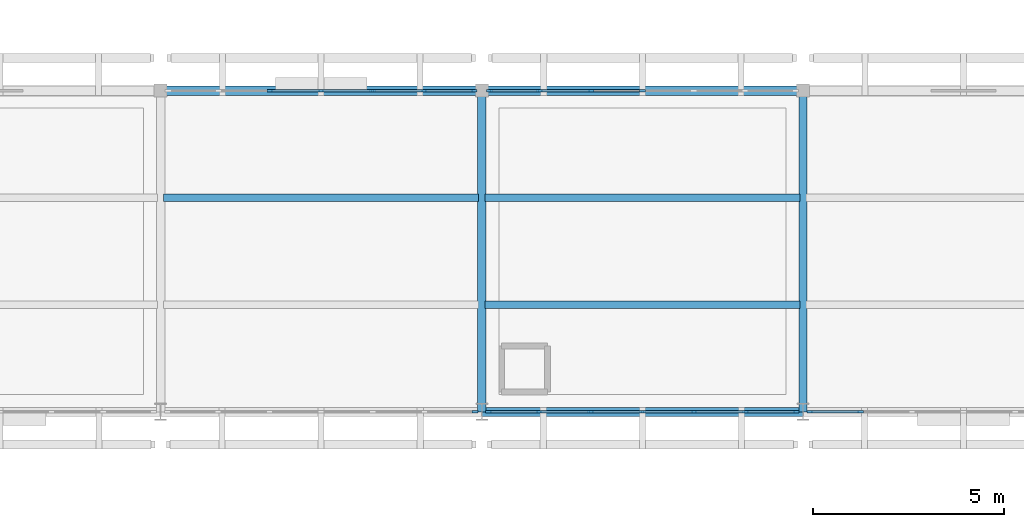
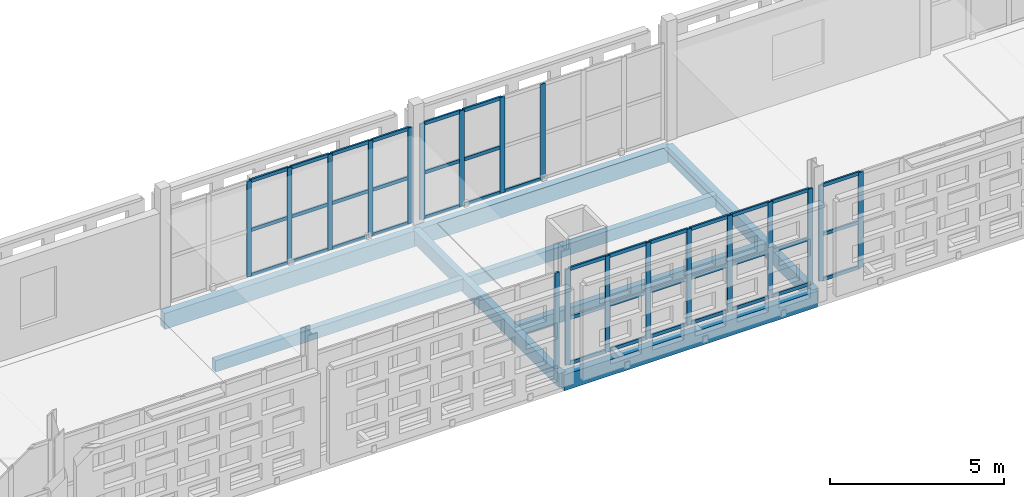
# One storey, part 55 of 140: 59 members, 8 beams, 5 elements without a shape of their own.
"""IFC4 building model written with IfcOpenShell, lengths in metres."""

import ifcopenshell
import ifcopenshell.guid

model = None  # the IFC model being written
_history = None  # IfcOwnerHistory: only IFC2X3 demands one
_inside = {}  # id of a spatial element -> (the spatial element, [elements in it])
_under = {}  # id of a project, library or spatial element -> (it, [spatial elements below it])
_declared = {}  # id of a project -> (the project, [libraries it declares])
_typed = {}  # id of a type object -> (the type object, [elements of that type])
_made_of = {}  # id of a material, layer set ... -> (it, [elements and type objects made of it])


def new_model(schema):
    """Start an empty IFC model of exactly this schema.

    Asked for "IFC4X3", IfcOpenShell would pick the latest addendum, in which some entities
    have other attributes; the version numbers below select the first issue.
    IFC2X3 requires an IfcOwnerHistory on every rooted entity: one is made here for all.
    """
    global model, _history
    if schema == "IFC4X3":
        model = ifcopenshell.file(schema_version=(4, 3, 0, 0))
    else:
        model = ifcopenshell.file(schema=schema)
    _inside.clear()
    _under.clear()
    _declared.clear()
    _typed.clear()
    _made_of.clear()
    _history = None
    if model.schema == "IFC2X3":
        org = make("IfcOrganization", Name="unknown")
        user = make(
            "IfcPersonAndOrganization",
            ThePerson=make("IfcPerson", FamilyName="unknown"),
            TheOrganization=org,
        )
        app = make(
            "IfcApplication",
            ApplicationDeveloper=org,
            Version="unknown",
            ApplicationFullName="unknown",
            ApplicationIdentifier="unknown",
        )
        _history = make(
            "IfcOwnerHistory",
            OwningUser=user,
            OwningApplication=app,
            ChangeAction="ADDED",
            CreationDate=0,
        )
    return model


def make(cls, **values):
    """One entity of the class cls with the attributes given. An attribute that is None is left unset."""
    return model.create_entity(
        cls, **{name: value for name, value in values.items() if value is not None}
    )


def rooted(cls, **values):
    """An entity with a GlobalId (a new one), such as an element, a storey or a relation."""
    return make(cls, GlobalId=ifcopenshell.guid.new(), OwnerHistory=_history, **values)


def si_unit(unit_type, name, prefix=None):
    """IfcSIUnit, for example si_unit("LENGTHUNIT", "METRE", prefix="MILLI")."""
    return make("IfcSIUnit", UnitType=unit_type, Prefix=prefix, Name=name)


def assignment(units):
    """IfcUnitAssignment: the units of a project."""
    return None if units is None else make("IfcUnitAssignment", Units=units)


def point(xyz):
    """IfcCartesianPoint."""
    return None if xyz is None else make("IfcCartesianPoint", Coordinates=xyz)


def direction(xyz):
    """IfcDirection."""
    return None if xyz is None else make("IfcDirection", DirectionRatios=xyz)


def frame(location, z_axis=None, x_axis=None):
    """IfcAxis2Placement3D, a coordinate frame: its origin and axes. An axis left out is left unset."""
    return make(
        "IfcAxis2Placement3D",
        Location=point(location),
        Axis=direction(z_axis),
        RefDirection=direction(x_axis),
    )


def frame_2d(location, x_axis=None):
    """IfcAxis2Placement2D, a coordinate frame in the plane: its origin and x axis."""
    return make(
        "IfcAxis2Placement2D", Location=point(location), RefDirection=direction(x_axis)
    )


def origin():
    """The frame at (0, 0, 0) with its axes left unset."""
    return frame((0.0, 0.0, 0.0))


def origin_2d():
    """The frame at (0, 0) in the plane with its x axis left unset."""
    return frame_2d((0.0, 0.0))


def place(relative_to, where):
    """IfcLocalPlacement: puts the frame where relative to a parent placement (None: the world)."""
    return make(
        "IfcLocalPlacement", PlacementRelTo=relative_to, RelativePlacement=where
    )


def context(
    kind, dimensions, precision=None, world=None, true_north=None, identifier=None
):
    """IfcGeometricRepresentationContext, for example the 3D "Model" context."""
    return make(
        "IfcGeometricRepresentationContext",
        ContextIdentifier=identifier,
        ContextType=kind,
        CoordinateSpaceDimension=dimensions,
        Precision=precision,
        WorldCoordinateSystem=world,
        TrueNorth=true_north,
    )


def subcontext(parent, identifier, kind, view, scale=None):
    """IfcGeometricRepresentationSubContext, for example "Body" below "Model"."""
    return make(
        "IfcGeometricRepresentationSubContext",
        ContextIdentifier=identifier,
        ContextType=kind,
        ParentContext=parent,
        TargetScale=scale,
        TargetView=view,
    )


def project(units=None, contexts=None):
    """IfcProject with its units and contexts."""
    return rooted(
        "IfcProject",
        Name="project",
        RepresentationContexts=contexts,
        UnitsInContext=assignment(units),
    )


def spatial(cls, under=None, at=None, **own):
    """A site, building, storey or space (cls), placed at a placement, below another one or the project."""
    s = rooted(cls, ObjectPlacement=at, **own)
    if under is not None:
        _under.setdefault(under.id(), (under, []))[1].append(s)
    return s


def profile(cls, at=None, kind="AREA", **sizes):
    """A parametric profile (cls). Its sizes go by their IFC names, for example OverallWidth=200.0."""
    return make(cls, ProfileType=kind, Position=at, **sizes)


def rectangle(**sizes):
    """IfcRectangleProfileDef."""
    return profile("IfcRectangleProfileDef", **sizes)


def extrude(swept, where, along, depth):
    """IfcExtrudedAreaSolid: the profile swept, set in the frame where, extruded along a direction by depth."""
    return make(
        "IfcExtrudedAreaSolid",
        SweptArea=swept,
        Position=where,
        ExtrudedDirection=direction(along),
        Depth=depth,
    )


def shape(context_of_items, identifier, shape_type, items):
    """IfcShapeRepresentation: the items that make up one representation, for example the "Body"."""
    return make(
        "IfcShapeRepresentation",
        ContextOfItems=context_of_items,
        RepresentationIdentifier=identifier,
        RepresentationType=shape_type,
        Items=items,
    )


def material(Name=None, Category=None):
    """IfcMaterial."""
    return make("IfcMaterial", Name=Name, Category=Category)


def layer(
    of_material, thickness, ventilated=None, Name=None, Category=None, Priority=None
):
    """IfcMaterialLayer: one layer of a wall or slab, of a material (None: an air gap)."""
    return make(
        "IfcMaterialLayer",
        Material=of_material,
        LayerThickness=thickness,
        IsVentilated=ventilated,
        Name=Name,
        Category=Category,
        Priority=Priority,
    )


def layer_set(layers, Name=None):
    """IfcMaterialLayerSet."""
    return make("IfcMaterialLayerSet", MaterialLayers=layers, LayerSetName=Name)


def material_profile(
    of_material, cross_section, Name=None, Category=None, Priority=None
):
    """IfcMaterialProfile: a cross section and its material."""
    return make(
        "IfcMaterialProfile",
        Name=Name,
        Material=of_material,
        Profile=cross_section,
        Priority=Priority,
        Category=Category,
    )


def profile_set(profiles, Name=None, composite=None):
    """IfcMaterialProfileSet."""
    return make(
        "IfcMaterialProfileSet",
        Name=Name,
        MaterialProfiles=profiles,
        CompositeProfile=composite,
    )


def made_of(thing, what):
    """Note that an element or type object is made of a material, layer set ...; save() writes the relation."""
    if what is not None:
        _made_of.setdefault(what.id(), (what, []))[1].append(thing)
    return thing


def type_object(cls, material=None, **own):
    """A type object (cls), such as IfcWallType, which elements share."""
    return made_of(rooted(cls, **own), material)


def element(
    cls,
    number,
    at=None,
    inside=None,
    cuts=None,
    type_object=None,
    material=None,
    context=None,
    identifier="Body",
    shape_type=None,
    held_by="IfcProductDefinitionShape",
    body=None,
    shapes=None,
    **own,
):
    """One element of the class cls, such as IfcWall. Its Tag is "e" and its number.

    at: its placement. inside: the storey or other place that contains it. cuts: it is an
    opening in that element (IfcRelVoidsElement). A single representation is given by context,
    identifier, shape_type and body (its items); several are given by shapes. held_by: the class
    of the entity that holds the representations. save() writes the other relations.
    """
    e = rooted(cls, Tag="e%d" % number, ObjectPlacement=at, **own)
    if body is not None:
        shapes = [shape(context, identifier, shape_type, body)]
    if shapes is not None:
        e.Representation = make(held_by, Representations=shapes)
    if inside is not None:
        _inside.setdefault(inside.id(), (inside, []))[1].append(e)
    if cuts is not None:
        rooted(
            "IfcRelVoidsElement", RelatingBuildingElement=cuts, RelatedOpeningElement=e
        )
    if type_object is not None:
        _typed.setdefault(type_object.id(), (type_object, []))[1].append(e)
    return made_of(e, material)


def aggregate(whole, parts):
    """IfcRelAggregates: a whole, such as a stair, and the parts it consists of."""
    return rooted("IfcRelAggregates", RelatingObject=whole, RelatedObjects=parts)


def save(model, path):
    """Write the relations noted so far, then the file.

    IfcRelAggregates (storeys below a building ...), IfcRelContainedInSpatialStructure (elements
    in a storey), IfcRelDefinesByType, IfcRelAssociatesMaterial and IfcRelDeclares: one each for
    every whole, place, type object, material and project.
    """
    for whole, parts in _under.values():
        aggregate(whole, parts)
    for where, things in _inside.values():
        rooted(
            "IfcRelContainedInSpatialStructure",
            RelatedElements=things,
            RelatingStructure=where,
        )
    for kind, things in _typed.values():
        rooted("IfcRelDefinesByType", RelatedObjects=things, RelatingType=kind)
    for what, things in _made_of.values():
        rooted("IfcRelAssociatesMaterial", RelatedObjects=things, RelatingMaterial=what)
    for by, libraries in _declared.values():
        rooted("IfcRelDeclares", RelatingContext=by, RelatedDefinitions=libraries)
    model.write(path)


model = new_model("IFC4")

# Units and contexts
model_context = context("Model", 3, precision=1e-05, world=origin(), true_north=direction((0.0, 1.0)))
body_context = subcontext(model_context, "Body", "Model", "MODEL_VIEW")
ifc_project = project(units=[si_unit("LENGTHUNIT", "METRE"), si_unit("AREAUNIT", "SQUARE_METRE"), si_unit("VOLUMEUNIT", "CUBIC_METRE"), si_unit("PLANEANGLEUNIT", "RADIAN"), si_unit("MASSUNIT", "GRAM", prefix="KILO")], contexts=[model_context])

# Site, building, storey
site_placement = place(None, origin())
site = spatial("IfcSite", under=ifc_project, at=site_placement, CompositionType="ELEMENT")
building_placement = place(site_placement, origin())
building = spatial("IfcBuilding", under=site, at=building_placement, Name="Varnapada Polytechnic", CompositionType="ELEMENT")
storey_placement = place(building_placement, frame((0.0, 0.0, 13.800048828125)))
storey = spatial("IfcBuildingStorey", under=building, at=storey_placement, Name="L03", CompositionType="ELEMENT", Elevation=13.800048828125)

# Beams
ifc_material_1 = material(Name="Glulam GL32h", Category="wood")
ifc_material_profile_1 = material_profile(ifc_material_1, rectangle(XDim=0.199951171875, YDim=0.39990234375, at=origin_2d()), Name="GL 200x400")
ifc_profile_set_1 = profile_set([ifc_material_profile_1], Name="Glulam GL32h")
beam_type_1 = type_object("IfcBeamType", Name="Library/laboratory glulam floor joist GJ-01 (GL 200x400)", PredefinedType="JOIST", material=ifc_profile_set_1)
beam_1_placement = place(storey_placement, frame((92.47998046875, 89.60009765625, -0.43994140625), z_axis=(1.0, 0.0, 0.0), x_axis=(0.0, 1.0, 0.0)))
element("IfcBeam", 1, at=beam_1_placement, inside=storey, type_object=beam_type_1, Name="L03 floor joist 12/11.2", PredefinedType="JOIST", context=body_context, shape_type="SweptSolid", body=[
    extrude(rectangle(XDim=0.199951171875, YDim=0.39990234375, at=origin_2d()), origin(), (0.0, 0.0, 1.0), 8.239990234375),
])
for number, where, z_axis, x_axis, name in (
    (2, (100.8798828125, 86.800048828125, -0.43994140625), (1.0, 0.0, 0.0), (0.0, 1.0, 0.0), "L03 floor joist 13/11.1"),
    (3, (100.8798828125, 89.60009765625, -0.43994140625), (1.0, 0.0, 0.0), (0.0, 1.0, 0.0), "L03 floor joist 13/11.2"),
):
    element("IfcBeam", number, at=place(storey_placement, frame(where, z_axis=z_axis, x_axis=x_axis)), inside=storey, type_object=beam_type_1, Name=name, PredefinedType="JOIST", context=body_context, shape_type="SweptSolid", body=[
        extrude(rectangle(XDim=0.199951171875, YDim=0.39990234375, at=origin_2d()), origin(), (0.0, 0.0, 1.0), 8.240234375),
    ])

# Curtain wall, member
ifc_material_2 = material(Name="Double low-E laminated glass", Category="glass")
ifc_layer_1 = layer(ifc_material_2, 0.159912109375)
ifc_layer_set_1 = layer_set([ifc_layer_1], Name="Double low-E laminated glass")
curtain_wall_type_1 = type_object("IfcCurtainWallType", Name="Curtain Wall CW-01", PredefinedType="NOTDEFINED", material=ifc_layer_set_1)
curtain_wall_1_placement = place(storey_placement, origin())
curtain_wall_1 = element("IfcCurtainWall", 4, at=curtain_wall_1_placement, inside=storey, type_object=curtain_wall_type_1, Name="L03 unitised curtain wall CW-01 (239)", PredefinedType="NOTDEFINED")
ifc_material_3 = material(Name="Anodised aluminium", Category="aluminium")
ifc_material_profile_2 = material_profile(ifc_material_3, rectangle(XDim=0.06005859375, YDim=0.159912109375, at=origin_2d()), Name="ALU M60x160")
ifc_profile_set_2 = profile_set([ifc_material_profile_2], Name="Anodised aluminium")
member_type_1 = type_object("IfcMemberType", Name="Mullion M-01", PredefinedType="MULLION", material=ifc_profile_set_2)
member_1_placement = place(storey_placement, frame((100.6201171875, 84.0, 0.0), z_axis=(0.0, 0.0, 1.0), x_axis=(0.0, -1.0, 0.0)))
member_1 = element("IfcMember", 5, at=member_1_placement, type_object=member_type_1, Name="CW-01 mullion 1", PredefinedType="MULLION", context=body_context, shape_type="SweptSolid", body=[
    extrude(rectangle(XDim=0.06005859375, YDim=0.159912109375, at=origin_2d()), origin(), (0.0, 0.0, 1.0), 3.35986328125),
])
aggregate(curtain_wall_1, [member_1])

# Curtain wall, members
ifc_layer_2 = layer(ifc_material_2, 0.159912109375)
ifc_layer_set_2 = layer_set([ifc_layer_2], Name="Double low-E laminated glass")
curtain_wall_type_2 = type_object("IfcCurtainWallType", Name="Curtain Wall CW-02", PredefinedType="NOTDEFINED", material=ifc_layer_set_2)
curtain_wall_2_placement = place(storey_placement, origin())
curtain_wall_2 = element("IfcCurtainWall", 6, at=curtain_wall_2_placement, inside=storey, type_object=curtain_wall_type_2, Name="L03 unitised curtain wall CW-02 (240)", PredefinedType="NOTDEFINED")
member_2_placement = place(storey_placement, frame((95.256591796875, 92.39990234375, 0.0), z_axis=(0.0, 0.0, 1.0), x_axis=(0.0, 1.0, 0.0)))
member_2 = element("IfcMember", 7, at=member_2_placement, type_object=member_type_1, Name="CW-02 mullion 3", PredefinedType="MULLION", context=body_context, shape_type="SweptSolid", body=[
    extrude(rectangle(XDim=0.06005859375, YDim=0.159912109375, at=origin_2d()), origin(), (0.0, 0.0, 1.0), 3.35986328125),
])
member_3_placement = place(storey_placement, frame((96.60009765625, 92.39990234375, 0.0), z_axis=(0.0, 0.0, 1.0), x_axis=(0.0, 1.0, 0.0)))
member_3 = element("IfcMember", 8, at=member_3_placement, type_object=member_type_1, Name="CW-02 mullion 4", PredefinedType="MULLION", context=body_context, shape_type="SweptSolid", body=[
    extrude(rectangle(XDim=0.06005859375, YDim=0.159912109375, at=origin_2d()), origin(), (0.0, 0.0, 1.0), 3.35986328125),
])
member_4_placement = place(storey_placement, frame((97.943359375, 92.39990234375, 0.0), z_axis=(0.0, 0.0, 1.0), x_axis=(0.0, 1.0, 0.0)))
member_4 = element("IfcMember", 9, at=member_4_placement, type_object=member_type_1, Name="CW-02 mullion 5", PredefinedType="MULLION", context=body_context, shape_type="SweptSolid", body=[
    extrude(rectangle(XDim=0.06005859375, YDim=0.159912109375, at=origin_2d()), origin(), (0.0, 0.0, 1.0), 3.35986328125),
])
member_5_placement = place(storey_placement, frame((99.28662109375, 92.39990234375, 0.0), z_axis=(0.0, 0.0, 1.0), x_axis=(0.0, 1.0, 0.0)))
member_5 = element("IfcMember", 10, at=member_5_placement, type_object=member_type_1, Name="CW-02 mullion 6", PredefinedType="MULLION", context=body_context, shape_type="SweptSolid", body=[
    extrude(rectangle(XDim=0.06005859375, YDim=0.159912109375, at=origin_2d()), origin(), (0.0, 0.0, 1.0), 3.35986328125),
])
member_6_placement = place(storey_placement, frame((100.60009765625, 92.39990234375, 0.0), z_axis=(0.0, 0.0, 1.0), x_axis=(0.0, 1.0, 0.0)))
member_6 = element("IfcMember", 11, at=member_6_placement, type_object=member_type_1, Name="CW-02 mullion 7", PredefinedType="MULLION", context=body_context, shape_type="SweptSolid", body=[
    extrude(rectangle(XDim=0.06005859375, YDim=0.159912109375, at=origin_2d()), origin(), (0.0, 0.0, 1.0), 3.35986328125),
])

curtain_wall_3_placement = place(storey_placement, origin())
curtain_wall_3 = element("IfcCurtainWall", 12, at=curtain_wall_3_placement, inside=storey, type_object=curtain_wall_type_1, Name="L03 unitised curtain wall CW-01 (241)", PredefinedType="NOTDEFINED")
member_7_placement = place(storey_placement, frame((109.02001953125, 84.0, 0.0), z_axis=(0.0, 0.0, 1.0), x_axis=(0.0, -1.0, 0.0)))
member_7 = element("IfcMember", 13, at=member_7_placement, type_object=member_type_1, Name="CW-01 mullion 1", PredefinedType="MULLION", context=body_context, shape_type="SweptSolid", body=[
    extrude(rectangle(XDim=0.06005859375, YDim=0.159912109375, at=origin_2d()), origin(), (0.0, 0.0, 1.0), 3.35986328125),
])
member_8_placement = place(storey_placement, frame((107.699951171875, 84.0, 0.0), z_axis=(0.0, 0.0, 1.0), x_axis=(0.0, -1.0, 0.0)))
member_8 = element("IfcMember", 14, at=member_8_placement, type_object=member_type_1, Name="CW-01 mullion 2", PredefinedType="MULLION", context=body_context, shape_type="SweptSolid", body=[
    extrude(rectangle(XDim=0.06005859375, YDim=0.159912109375, at=origin_2d()), origin(), (0.0, 0.0, 1.0), 3.35986328125),
])
member_9_placement = place(storey_placement, frame((106.35009765625, 84.0, 0.0), z_axis=(0.0, 0.0, 1.0), x_axis=(0.0, -1.0, 0.0)))
member_9 = element("IfcMember", 15, at=member_9_placement, type_object=member_type_1, Name="CW-01 mullion 3", PredefinedType="MULLION", context=body_context, shape_type="SweptSolid", body=[
    extrude(rectangle(XDim=0.06005859375, YDim=0.159912109375, at=origin_2d()), origin(), (0.0, 0.0, 1.0), 3.35986328125),
])
member_10_placement = place(storey_placement, frame((105.0, 84.0, 0.0), z_axis=(0.0, 0.0, 1.0), x_axis=(0.0, -1.0, 0.0)))
member_10 = element("IfcMember", 16, at=member_10_placement, type_object=member_type_1, Name="CW-01 mullion 4", PredefinedType="MULLION", context=body_context, shape_type="SweptSolid", body=[
    extrude(rectangle(XDim=0.06005859375, YDim=0.159912109375, at=origin_2d()), origin(), (0.0, 0.0, 1.0), 3.35986328125),
])
member_11_placement = place(storey_placement, frame((103.64990234375, 84.0, 0.0), z_axis=(0.0, 0.0, 1.0), x_axis=(0.0, -1.0, 0.0)))
member_11 = element("IfcMember", 17, at=member_11_placement, type_object=member_type_1, Name="CW-01 mullion 5", PredefinedType="MULLION", context=body_context, shape_type="SweptSolid", body=[
    extrude(rectangle(XDim=0.06005859375, YDim=0.159912109375, at=origin_2d()), origin(), (0.0, 0.0, 1.0), 3.35986328125),
])
member_12_placement = place(storey_placement, frame((102.300048828125, 84.0, 0.0), z_axis=(0.0, 0.0, 1.0), x_axis=(0.0, -1.0, 0.0)))
member_12 = element("IfcMember", 18, at=member_12_placement, type_object=member_type_1, Name="CW-01 mullion 6", PredefinedType="MULLION", context=body_context, shape_type="SweptSolid", body=[
    extrude(rectangle(XDim=0.06005859375, YDim=0.159912109375, at=origin_2d()), origin(), (0.0, 0.0, 1.0), 3.35986328125),
])
member_13_placement = place(storey_placement, frame((100.97998046875, 84.0, 0.0), z_axis=(0.0, 0.0, 1.0), x_axis=(0.0, -1.0, 0.0)))
member_13 = element("IfcMember", 19, at=member_13_placement, type_object=member_type_1, Name="CW-01 mullion 7", PredefinedType="MULLION", context=body_context, shape_type="SweptSolid", body=[
    extrude(rectangle(XDim=0.06005859375, YDim=0.159912109375, at=origin_2d()), origin(), (0.0, 0.0, 1.0), 3.35986328125),
])

curtain_wall_4_placement = place(storey_placement, origin())
curtain_wall_4 = element("IfcCurtainWall", 20, at=curtain_wall_4_placement, inside=storey, type_object=curtain_wall_type_2, Name="L03 unitised curtain wall CW-02 (242)", PredefinedType="NOTDEFINED")
member_14_placement = place(storey_placement, frame((101.0, 92.39990234375, 0.0), z_axis=(0.0, 0.0, 1.0), x_axis=(0.0, 1.0, 0.0)))
member_14 = element("IfcMember", 21, at=member_14_placement, type_object=member_type_1, Name="CW-02 mullion 1", PredefinedType="MULLION", context=body_context, shape_type="SweptSolid", body=[
    extrude(rectangle(XDim=0.06005859375, YDim=0.159912109375, at=origin_2d()), origin(), (0.0, 0.0, 1.0), 3.35986328125),
])
member_15_placement = place(storey_placement, frame((102.313232421875, 92.39990234375, 0.0), z_axis=(0.0, 0.0, 1.0), x_axis=(0.0, 1.0, 0.0)))
member_15 = element("IfcMember", 22, at=member_15_placement, type_object=member_type_1, Name="CW-02 mullion 2", PredefinedType="MULLION", context=body_context, shape_type="SweptSolid", body=[
    extrude(rectangle(XDim=0.06005859375, YDim=0.159912109375, at=origin_2d()), origin(), (0.0, 0.0, 1.0), 3.35986328125),
])
member_16_placement = place(storey_placement, frame((103.65673828125, 92.39990234375, 0.0), z_axis=(0.0, 0.0, 1.0), x_axis=(0.0, 1.0, 0.0)))
member_16 = element("IfcMember", 23, at=member_16_placement, type_object=member_type_1, Name="CW-02 mullion 3", PredefinedType="MULLION", context=body_context, shape_type="SweptSolid", body=[
    extrude(rectangle(XDim=0.06005859375, YDim=0.159912109375, at=origin_2d()), origin(), (0.0, 0.0, 1.0), 3.35986328125),
])
member_17_placement = place(storey_placement, frame((105.0, 92.39990234375, 0.0), z_axis=(0.0, 0.0, 1.0), x_axis=(0.0, 1.0, 0.0)))
member_17 = element("IfcMember", 24, at=member_17_placement, type_object=member_type_1, Name="CW-02 mullion 4", PredefinedType="MULLION", context=body_context, shape_type="SweptSolid", body=[
    extrude(rectangle(XDim=0.06005859375, YDim=0.159912109375, at=origin_2d()), origin(), (0.0, 0.0, 1.0), 3.35986328125),
])

curtain_wall_5_placement = place(storey_placement, origin())
curtain_wall_5 = element("IfcCurtainWall", 25, at=curtain_wall_5_placement, inside=storey, type_object=curtain_wall_type_1, Name="L03 unitised curtain wall CW-01 (243)", PredefinedType="NOTDEFINED")
member_18_placement = place(storey_placement, frame((110.699951171875, 84.0, 0.0), z_axis=(0.0, 0.0, 1.0), x_axis=(0.0, -1.0, 0.0)))
member_18 = element("IfcMember", 26, at=member_18_placement, type_object=member_type_1, Name="CW-01 mullion 6", PredefinedType="MULLION", context=body_context, shape_type="SweptSolid", body=[
    extrude(rectangle(XDim=0.06005859375, YDim=0.159912109375, at=origin_2d()), origin(), (0.0, 0.0, 1.0), 3.35986328125),
])
member_19_placement = place(storey_placement, frame((109.3798828125, 84.0, 0.0), z_axis=(0.0, 0.0, 1.0), x_axis=(0.0, -1.0, 0.0)))
member_19 = element("IfcMember", 27, at=member_19_placement, type_object=member_type_1, Name="CW-01 mullion 7", PredefinedType="MULLION", context=body_context, shape_type="SweptSolid", body=[
    extrude(rectangle(XDim=0.06005859375, YDim=0.159912109375, at=origin_2d()), origin(), (0.0, 0.0, 1.0), 3.35986328125),
])

# Beams
ifc_material_profile_3 = material_profile(ifc_material_1, rectangle(XDim=0.239990234375, YDim=0.56005859375, at=origin_2d()), Name="GL 240x560")
ifc_profile_set_3 = profile_set([ifc_material_profile_3], Name="Glulam GL32h")
beam_type_2 = type_object("IfcBeamType", Name="Perimeter glulam spandrel beam SP-02 (GL 240x560)", PredefinedType="SPANDREL", material=ifc_profile_set_3)
beam_2_placement = place(storey_placement, frame((92.39990234375, 92.39990234375, -0.52001953125), z_axis=(1.0, 0.0, 0.0), x_axis=(0.0, 1.0, 0.0)))
element("IfcBeam", 28, at=beam_2_placement, inside=storey, type_object=beam_type_2, Name="L03 beam X 12-13 at Y12", PredefinedType="SPANDREL", context=body_context, shape_type="SweptSolid", body=[
    extrude(rectangle(XDim=0.239990234375, YDim=0.56005859375, at=origin_2d()), origin(), (0.0, 0.0, 1.0), 8.400146484375),
])
for number, where, z_axis, x_axis, name in (
    (29, (100.800048828125, 84.0, -0.52001953125), (1.0, 0.0, 0.0), (0.0, 1.0, 0.0), "L03 beam X 13-14 at Y11"),
    (30, (100.800048828125, 92.39990234375, -0.52001953125), (1.0, 0.0, 0.0), (0.0, 1.0, 0.0), "L03 beam X 13-14 at Y12"),
):
    element("IfcBeam", number, at=place(storey_placement, frame(where, z_axis=z_axis, x_axis=x_axis)), inside=storey, type_object=beam_type_2, Name=name, PredefinedType="SPANDREL", context=body_context, shape_type="SweptSolid", body=[
        extrude(rectangle(XDim=0.239990234375, YDim=0.56005859375, at=origin_2d()), origin(), (0.0, 0.0, 1.0), 8.39990234375),
    ])

# Member
ifc_material_profile_4 = material_profile(ifc_material_3, rectangle(XDim=0.06005859375, YDim=0.1201171875, at=origin_2d()), Name="ALU T60x120")
ifc_profile_set_4 = profile_set([ifc_material_profile_4], Name="Anodised aluminium")
member_type_2 = type_object("IfcMemberType", Name="Transom T-01", PredefinedType="USERDEFINED", material=ifc_profile_set_4)
member_20_placement = place(storey_placement, frame((95.28662109375, 92.39990234375, 0.030029296875), z_axis=(1.0, 0.0, 0.0), x_axis=(0.0, 1.0, 0.0)))
member_20 = element("IfcMember", 31, at=member_20_placement, type_object=member_type_2, Name="CW-02 transom 3.1", ObjectType="TRANSOM", PredefinedType="USERDEFINED", context=body_context, shape_type="SweptSolid", body=[
    extrude(rectangle(XDim=0.06005859375, YDim=0.1201171875, at=origin_2d()), origin(), (0.0, 0.0, 1.0), 1.283447265625),
])

member_21_placement = place(storey_placement, frame((95.28662109375, 92.39990234375, 1.61279296875), z_axis=(1.0, 0.0, 0.0), x_axis=(0.0, 1.0, 0.0)))
member_21 = element("IfcMember", 32, at=member_21_placement, type_object=member_type_2, Name="CW-02 transom 3.2", ObjectType="TRANSOM", PredefinedType="USERDEFINED", context=body_context, shape_type="SweptSolid", body=[
    extrude(rectangle(XDim=0.06005859375, YDim=0.1201171875, at=origin_2d()), origin(), (0.0, 0.0, 1.0), 1.283447265625),
])

member_22_placement = place(storey_placement, frame((95.28662109375, 92.39990234375, 3.329833984375), z_axis=(1.0, 0.0, 0.0), x_axis=(0.0, 1.0, 0.0)))
member_22 = element("IfcMember", 33, at=member_22_placement, type_object=member_type_2, Name="CW-02 transom 3.3", ObjectType="TRANSOM", PredefinedType="USERDEFINED", context=body_context, shape_type="SweptSolid", body=[
    extrude(rectangle(XDim=0.06005859375, YDim=0.1201171875, at=origin_2d()), origin(), (0.0, 0.0, 1.0), 1.283447265625),
])

member_23_placement = place(storey_placement, frame((96.6298828125, 92.39990234375, 0.030029296875), z_axis=(1.0, 0.0, 0.0), x_axis=(0.0, 1.0, 0.0)))
member_23 = element("IfcMember", 34, at=member_23_placement, type_object=member_type_2, Name="CW-02 transom 4.1", ObjectType="TRANSOM", PredefinedType="USERDEFINED", context=body_context, shape_type="SweptSolid", body=[
    extrude(rectangle(XDim=0.06005859375, YDim=0.1201171875, at=origin_2d()), origin(), (0.0, 0.0, 1.0), 1.283447265625),
])

member_24_placement = place(storey_placement, frame((96.6298828125, 92.39990234375, 1.61279296875), z_axis=(1.0, 0.0, 0.0), x_axis=(0.0, 1.0, 0.0)))
member_24 = element("IfcMember", 35, at=member_24_placement, type_object=member_type_2, Name="CW-02 transom 4.2", ObjectType="TRANSOM", PredefinedType="USERDEFINED", context=body_context, shape_type="SweptSolid", body=[
    extrude(rectangle(XDim=0.06005859375, YDim=0.1201171875, at=origin_2d()), origin(), (0.0, 0.0, 1.0), 1.283447265625),
])

member_25_placement = place(storey_placement, frame((96.6298828125, 92.39990234375, 3.329833984375), z_axis=(1.0, 0.0, 0.0), x_axis=(0.0, 1.0, 0.0)))
member_25 = element("IfcMember", 36, at=member_25_placement, type_object=member_type_2, Name="CW-02 transom 4.3", ObjectType="TRANSOM", PredefinedType="USERDEFINED", context=body_context, shape_type="SweptSolid", body=[
    extrude(rectangle(XDim=0.06005859375, YDim=0.1201171875, at=origin_2d()), origin(), (0.0, 0.0, 1.0), 1.283447265625),
])

member_26_placement = place(storey_placement, frame((97.973388671875, 92.39990234375, 0.030029296875), z_axis=(1.0, 0.0, 0.0), x_axis=(0.0, 1.0, 0.0)))
member_26 = element("IfcMember", 37, at=member_26_placement, type_object=member_type_2, Name="CW-02 transom 5.1", ObjectType="TRANSOM", PredefinedType="USERDEFINED", context=body_context, shape_type="SweptSolid", body=[
    extrude(rectangle(XDim=0.06005859375, YDim=0.1201171875, at=origin_2d()), origin(), (0.0, 0.0, 1.0), 1.283203125),
])

member_27_placement = place(storey_placement, frame((97.973388671875, 92.39990234375, 1.61279296875), z_axis=(1.0, 0.0, 0.0), x_axis=(0.0, 1.0, 0.0)))
member_27 = element("IfcMember", 38, at=member_27_placement, type_object=member_type_2, Name="CW-02 transom 5.2", ObjectType="TRANSOM", PredefinedType="USERDEFINED", context=body_context, shape_type="SweptSolid", body=[
    extrude(rectangle(XDim=0.06005859375, YDim=0.1201171875, at=origin_2d()), origin(), (0.0, 0.0, 1.0), 1.283203125),
])

member_28_placement = place(storey_placement, frame((97.973388671875, 92.39990234375, 3.329833984375), z_axis=(1.0, 0.0, 0.0), x_axis=(0.0, 1.0, 0.0)))
member_28 = element("IfcMember", 39, at=member_28_placement, type_object=member_type_2, Name="CW-02 transom 5.3", ObjectType="TRANSOM", PredefinedType="USERDEFINED", context=body_context, shape_type="SweptSolid", body=[
    extrude(rectangle(XDim=0.06005859375, YDim=0.1201171875, at=origin_2d()), origin(), (0.0, 0.0, 1.0), 1.283203125),
])

member_29_placement = place(storey_placement, frame((99.316650390625, 92.39990234375, 0.030029296875), z_axis=(1.0, 0.0, 0.0), x_axis=(0.0, 1.0, 0.0)))
member_29 = element("IfcMember", 40, at=member_29_placement, type_object=member_type_2, Name="CW-02 transom 6.1", ObjectType="TRANSOM", PredefinedType="USERDEFINED", context=body_context, shape_type="SweptSolid", body=[
    extrude(rectangle(XDim=0.06005859375, YDim=0.1201171875, at=origin_2d()), origin(), (0.0, 0.0, 1.0), 1.25341796875),
])

member_30_placement = place(storey_placement, frame((99.316650390625, 92.39990234375, 1.61279296875), z_axis=(1.0, 0.0, 0.0), x_axis=(0.0, 1.0, 0.0)))
member_30 = element("IfcMember", 41, at=member_30_placement, type_object=member_type_2, Name="CW-02 transom 6.2", ObjectType="TRANSOM", PredefinedType="USERDEFINED", context=body_context, shape_type="SweptSolid", body=[
    extrude(rectangle(XDim=0.06005859375, YDim=0.1201171875, at=origin_2d()), origin(), (0.0, 0.0, 1.0), 1.25341796875),
])

member_31_placement = place(storey_placement, frame((99.316650390625, 92.39990234375, 3.329833984375), z_axis=(1.0, 0.0, 0.0), x_axis=(0.0, 1.0, 0.0)))
member_31 = element("IfcMember", 42, at=member_31_placement, type_object=member_type_2, Name="CW-02 transom 6.3", ObjectType="TRANSOM", PredefinedType="USERDEFINED", context=body_context, shape_type="SweptSolid", body=[
    extrude(rectangle(XDim=0.06005859375, YDim=0.1201171875, at=origin_2d()), origin(), (0.0, 0.0, 1.0), 1.25341796875),
])

aggregate(curtain_wall_2, [member_2, member_3, member_4, member_5, member_6, member_20, member_21, member_22, member_23, member_24, member_25, member_26, member_27, member_28, member_29, member_30, member_31])

member_32_placement = place(storey_placement, frame((108.989990234375, 84.0, 0.030029296875), z_axis=(-1.0, 0.0, 0.0), x_axis=(0.0, -1.0, 0.0)))
member_32 = element("IfcMember", 43, at=member_32_placement, type_object=member_type_2, Name="CW-01 transom 1.1", ObjectType="TRANSOM", PredefinedType="USERDEFINED", context=body_context, shape_type="SweptSolid", body=[
    extrude(rectangle(XDim=0.06005859375, YDim=0.1201171875, at=origin_2d()), origin(), (0.0, 0.0, 1.0), 1.260009765625),
])

member_33_placement = place(storey_placement, frame((108.989990234375, 84.0, 1.61279296875), z_axis=(-1.0, 0.0, 0.0), x_axis=(0.0, -1.0, 0.0)))
member_33 = element("IfcMember", 44, at=member_33_placement, type_object=member_type_2, Name="CW-01 transom 1.2", ObjectType="TRANSOM", PredefinedType="USERDEFINED", context=body_context, shape_type="SweptSolid", body=[
    extrude(rectangle(XDim=0.06005859375, YDim=0.1201171875, at=origin_2d()), origin(), (0.0, 0.0, 1.0), 1.260009765625),
])

member_34_placement = place(storey_placement, frame((108.989990234375, 84.0, 3.329833984375), z_axis=(-1.0, 0.0, 0.0), x_axis=(0.0, -1.0, 0.0)))
member_34 = element("IfcMember", 45, at=member_34_placement, type_object=member_type_2, Name="CW-01 transom 1.3", ObjectType="TRANSOM", PredefinedType="USERDEFINED", context=body_context, shape_type="SweptSolid", body=[
    extrude(rectangle(XDim=0.06005859375, YDim=0.1201171875, at=origin_2d()), origin(), (0.0, 0.0, 1.0), 1.260009765625),
])

member_35_placement = place(storey_placement, frame((107.669921875, 84.0, 0.030029296875), z_axis=(-1.0, 0.0, 0.0), x_axis=(0.0, -1.0, 0.0)))
member_35 = element("IfcMember", 46, at=member_35_placement, type_object=member_type_2, Name="CW-01 transom 2.1", ObjectType="TRANSOM", PredefinedType="USERDEFINED", context=body_context, shape_type="SweptSolid", body=[
    extrude(rectangle(XDim=0.06005859375, YDim=0.1201171875, at=origin_2d()), origin(), (0.0, 0.0, 1.0), 1.2900390625),
])

member_36_placement = place(storey_placement, frame((107.669921875, 84.0, 1.61279296875), z_axis=(-1.0, 0.0, 0.0), x_axis=(0.0, -1.0, 0.0)))
member_36 = element("IfcMember", 47, at=member_36_placement, type_object=member_type_2, Name="CW-01 transom 2.2", ObjectType="TRANSOM", PredefinedType="USERDEFINED", context=body_context, shape_type="SweptSolid", body=[
    extrude(rectangle(XDim=0.06005859375, YDim=0.1201171875, at=origin_2d()), origin(), (0.0, 0.0, 1.0), 1.2900390625),
])

member_37_placement = place(storey_placement, frame((107.669921875, 84.0, 3.329833984375), z_axis=(-1.0, 0.0, 0.0), x_axis=(0.0, -1.0, 0.0)))
member_37 = element("IfcMember", 48, at=member_37_placement, type_object=member_type_2, Name="CW-01 transom 2.3", ObjectType="TRANSOM", PredefinedType="USERDEFINED", context=body_context, shape_type="SweptSolid", body=[
    extrude(rectangle(XDim=0.06005859375, YDim=0.1201171875, at=origin_2d()), origin(), (0.0, 0.0, 1.0), 1.2900390625),
])

member_38_placement = place(storey_placement, frame((106.320068359375, 84.0, 0.030029296875), z_axis=(-1.0, 0.0, 0.0), x_axis=(0.0, -1.0, 0.0)))
member_38 = element("IfcMember", 49, at=member_38_placement, type_object=member_type_2, Name="CW-01 transom 3.1", ObjectType="TRANSOM", PredefinedType="USERDEFINED", context=body_context, shape_type="SweptSolid", body=[
    extrude(rectangle(XDim=0.06005859375, YDim=0.1201171875, at=origin_2d()), origin(), (0.0, 0.0, 1.0), 1.2900390625),
])

member_39_placement = place(storey_placement, frame((106.320068359375, 84.0, 1.61279296875), z_axis=(-1.0, 0.0, 0.0), x_axis=(0.0, -1.0, 0.0)))
member_39 = element("IfcMember", 50, at=member_39_placement, type_object=member_type_2, Name="CW-01 transom 3.2", ObjectType="TRANSOM", PredefinedType="USERDEFINED", context=body_context, shape_type="SweptSolid", body=[
    extrude(rectangle(XDim=0.06005859375, YDim=0.1201171875, at=origin_2d()), origin(), (0.0, 0.0, 1.0), 1.2900390625),
])

member_40_placement = place(storey_placement, frame((106.320068359375, 84.0, 3.329833984375), z_axis=(-1.0, 0.0, 0.0), x_axis=(0.0, -1.0, 0.0)))
member_40 = element("IfcMember", 51, at=member_40_placement, type_object=member_type_2, Name="CW-01 transom 3.3", ObjectType="TRANSOM", PredefinedType="USERDEFINED", context=body_context, shape_type="SweptSolid", body=[
    extrude(rectangle(XDim=0.06005859375, YDim=0.1201171875, at=origin_2d()), origin(), (0.0, 0.0, 1.0), 1.2900390625),
])

member_41_placement = place(storey_placement, frame((104.969970703125, 84.0, 0.030029296875), z_axis=(-1.0, 0.0, 0.0), x_axis=(0.0, -1.0, 0.0)))
member_41 = element("IfcMember", 52, at=member_41_placement, type_object=member_type_2, Name="CW-01 transom 4.1", ObjectType="TRANSOM", PredefinedType="USERDEFINED", context=body_context, shape_type="SweptSolid", body=[
    extrude(rectangle(XDim=0.06005859375, YDim=0.1201171875, at=origin_2d()), origin(), (0.0, 0.0, 1.0), 1.2900390625),
])

member_42_placement = place(storey_placement, frame((104.969970703125, 84.0, 1.61279296875), z_axis=(-1.0, 0.0, 0.0), x_axis=(0.0, -1.0, 0.0)))
member_42 = element("IfcMember", 53, at=member_42_placement, type_object=member_type_2, Name="CW-01 transom 4.2", ObjectType="TRANSOM", PredefinedType="USERDEFINED", context=body_context, shape_type="SweptSolid", body=[
    extrude(rectangle(XDim=0.06005859375, YDim=0.1201171875, at=origin_2d()), origin(), (0.0, 0.0, 1.0), 1.2900390625),
])

member_43_placement = place(storey_placement, frame((104.969970703125, 84.0, 3.329833984375), z_axis=(-1.0, 0.0, 0.0), x_axis=(0.0, -1.0, 0.0)))
member_43 = element("IfcMember", 54, at=member_43_placement, type_object=member_type_2, Name="CW-01 transom 4.3", ObjectType="TRANSOM", PredefinedType="USERDEFINED", context=body_context, shape_type="SweptSolid", body=[
    extrude(rectangle(XDim=0.06005859375, YDim=0.1201171875, at=origin_2d()), origin(), (0.0, 0.0, 1.0), 1.2900390625),
])

member_44_placement = place(storey_placement, frame((103.6201171875, 84.0, 0.030029296875), z_axis=(-1.0, 0.0, 0.0), x_axis=(0.0, -1.0, 0.0)))
member_44 = element("IfcMember", 55, at=member_44_placement, type_object=member_type_2, Name="CW-01 transom 5.1", ObjectType="TRANSOM", PredefinedType="USERDEFINED", context=body_context, shape_type="SweptSolid", body=[
    extrude(rectangle(XDim=0.06005859375, YDim=0.1201171875, at=origin_2d()), origin(), (0.0, 0.0, 1.0), 1.2900390625),
])

member_45_placement = place(storey_placement, frame((103.6201171875, 84.0, 1.61279296875), z_axis=(-1.0, 0.0, 0.0), x_axis=(0.0, -1.0, 0.0)))
member_45 = element("IfcMember", 56, at=member_45_placement, type_object=member_type_2, Name="CW-01 transom 5.2", ObjectType="TRANSOM", PredefinedType="USERDEFINED", context=body_context, shape_type="SweptSolid", body=[
    extrude(rectangle(XDim=0.06005859375, YDim=0.1201171875, at=origin_2d()), origin(), (0.0, 0.0, 1.0), 1.2900390625),
])

member_46_placement = place(storey_placement, frame((103.6201171875, 84.0, 3.329833984375), z_axis=(-1.0, 0.0, 0.0), x_axis=(0.0, -1.0, 0.0)))
member_46 = element("IfcMember", 57, at=member_46_placement, type_object=member_type_2, Name="CW-01 transom 5.3", ObjectType="TRANSOM", PredefinedType="USERDEFINED", context=body_context, shape_type="SweptSolid", body=[
    extrude(rectangle(XDim=0.06005859375, YDim=0.1201171875, at=origin_2d()), origin(), (0.0, 0.0, 1.0), 1.2900390625),
])

member_47_placement = place(storey_placement, frame((102.27001953125, 84.0, 0.030029296875), z_axis=(-1.0, 0.0, 0.0), x_axis=(0.0, -1.0, 0.0)))
member_47 = element("IfcMember", 58, at=member_47_placement, type_object=member_type_2, Name="CW-01 transom 6.1", ObjectType="TRANSOM", PredefinedType="USERDEFINED", context=body_context, shape_type="SweptSolid", body=[
    extrude(rectangle(XDim=0.06005859375, YDim=0.1201171875, at=origin_2d()), origin(), (0.0, 0.0, 1.0), 1.260009765625),
])

member_48_placement = place(storey_placement, frame((102.27001953125, 84.0, 1.61279296875), z_axis=(-1.0, 0.0, 0.0), x_axis=(0.0, -1.0, 0.0)))
member_48 = element("IfcMember", 59, at=member_48_placement, type_object=member_type_2, Name="CW-01 transom 6.2", ObjectType="TRANSOM", PredefinedType="USERDEFINED", context=body_context, shape_type="SweptSolid", body=[
    extrude(rectangle(XDim=0.06005859375, YDim=0.1201171875, at=origin_2d()), origin(), (0.0, 0.0, 1.0), 1.260009765625),
])

member_49_placement = place(storey_placement, frame((102.27001953125, 84.0, 3.329833984375), z_axis=(-1.0, 0.0, 0.0), x_axis=(0.0, -1.0, 0.0)))
member_49 = element("IfcMember", 60, at=member_49_placement, type_object=member_type_2, Name="CW-01 transom 6.3", ObjectType="TRANSOM", PredefinedType="USERDEFINED", context=body_context, shape_type="SweptSolid", body=[
    extrude(rectangle(XDim=0.06005859375, YDim=0.1201171875, at=origin_2d()), origin(), (0.0, 0.0, 1.0), 1.260009765625),
])

aggregate(curtain_wall_3, [member_7, member_8, member_9, member_10, member_11, member_12, member_13, member_32, member_33, member_34, member_35, member_36, member_37, member_38, member_39, member_40, member_41, member_42, member_43, member_44, member_45, member_46, member_47, member_48, member_49])

member_50_placement = place(storey_placement, frame((101.030029296875, 92.39990234375, 0.030029296875), z_axis=(1.0, 0.0, 0.0), x_axis=(0.0, 1.0, 0.0)))
member_50 = element("IfcMember", 61, at=member_50_placement, type_object=member_type_2, Name="CW-02 transom 1.1", ObjectType="TRANSOM", PredefinedType="USERDEFINED", context=body_context, shape_type="SweptSolid", body=[
    extrude(rectangle(XDim=0.06005859375, YDim=0.1201171875, at=origin_2d()), origin(), (0.0, 0.0, 1.0), 1.25341796875),
])

member_51_placement = place(storey_placement, frame((101.030029296875, 92.39990234375, 1.61279296875), z_axis=(1.0, 0.0, 0.0), x_axis=(0.0, 1.0, 0.0)))
member_51 = element("IfcMember", 62, at=member_51_placement, type_object=member_type_2, Name="CW-02 transom 1.2", ObjectType="TRANSOM", PredefinedType="USERDEFINED", context=body_context, shape_type="SweptSolid", body=[
    extrude(rectangle(XDim=0.06005859375, YDim=0.1201171875, at=origin_2d()), origin(), (0.0, 0.0, 1.0), 1.25341796875),
])

member_52_placement = place(storey_placement, frame((101.030029296875, 92.39990234375, 3.329833984375), z_axis=(1.0, 0.0, 0.0), x_axis=(0.0, 1.0, 0.0)))
member_52 = element("IfcMember", 63, at=member_52_placement, type_object=member_type_2, Name="CW-02 transom 1.3", ObjectType="TRANSOM", PredefinedType="USERDEFINED", context=body_context, shape_type="SweptSolid", body=[
    extrude(rectangle(XDim=0.06005859375, YDim=0.1201171875, at=origin_2d()), origin(), (0.0, 0.0, 1.0), 1.25341796875),
])

member_53_placement = place(storey_placement, frame((102.34326171875, 92.39990234375, 0.030029296875), z_axis=(1.0, 0.0, 0.0), x_axis=(0.0, 1.0, 0.0)))
member_53 = element("IfcMember", 64, at=member_53_placement, type_object=member_type_2, Name="CW-02 transom 2.1", ObjectType="TRANSOM", PredefinedType="USERDEFINED", context=body_context, shape_type="SweptSolid", body=[
    extrude(rectangle(XDim=0.06005859375, YDim=0.1201171875, at=origin_2d()), origin(), (0.0, 0.0, 1.0), 1.283447265625),
])

member_54_placement = place(storey_placement, frame((102.34326171875, 92.39990234375, 1.61279296875), z_axis=(1.0, 0.0, 0.0), x_axis=(0.0, 1.0, 0.0)))
member_54 = element("IfcMember", 65, at=member_54_placement, type_object=member_type_2, Name="CW-02 transom 2.2", ObjectType="TRANSOM", PredefinedType="USERDEFINED", context=body_context, shape_type="SweptSolid", body=[
    extrude(rectangle(XDim=0.06005859375, YDim=0.1201171875, at=origin_2d()), origin(), (0.0, 0.0, 1.0), 1.283447265625),
])

member_55_placement = place(storey_placement, frame((102.34326171875, 92.39990234375, 3.329833984375), z_axis=(1.0, 0.0, 0.0), x_axis=(0.0, 1.0, 0.0)))
member_55 = element("IfcMember", 66, at=member_55_placement, type_object=member_type_2, Name="CW-02 transom 2.3", ObjectType="TRANSOM", PredefinedType="USERDEFINED", context=body_context, shape_type="SweptSolid", body=[
    extrude(rectangle(XDim=0.06005859375, YDim=0.1201171875, at=origin_2d()), origin(), (0.0, 0.0, 1.0), 1.283447265625),
])

member_56_placement = place(storey_placement, frame((103.686767578125, 92.39990234375, 0.030029296875), z_axis=(1.0, 0.0, 0.0), x_axis=(0.0, 1.0, 0.0)))
member_56 = element("IfcMember", 67, at=member_56_placement, type_object=member_type_2, Name="CW-02 transom 3.1", ObjectType="TRANSOM", PredefinedType="USERDEFINED", context=body_context, shape_type="SweptSolid", body=[
    extrude(rectangle(XDim=0.06005859375, YDim=0.1201171875, at=origin_2d()), origin(), (0.0, 0.0, 1.0), 1.283203125),
])

aggregate(curtain_wall_4, [member_14, member_15, member_16, member_17, member_50, member_51, member_52, member_53, member_54, member_55, member_56])

member_57_placement = place(storey_placement, frame((110.669921875, 84.0, 0.030029296875), z_axis=(-1.0, 0.0, 0.0), x_axis=(0.0, -1.0, 0.0)))
member_57 = element("IfcMember", 68, at=member_57_placement, type_object=member_type_2, Name="CW-01 transom 6.1", ObjectType="TRANSOM", PredefinedType="USERDEFINED", context=body_context, shape_type="SweptSolid", body=[
    extrude(rectangle(XDim=0.06005859375, YDim=0.1201171875, at=origin_2d()), origin(), (0.0, 0.0, 1.0), 1.260009765625),
])

member_58_placement = place(storey_placement, frame((110.669921875, 84.0, 1.61279296875), z_axis=(-1.0, 0.0, 0.0), x_axis=(0.0, -1.0, 0.0)))
member_58 = element("IfcMember", 69, at=member_58_placement, type_object=member_type_2, Name="CW-01 transom 6.2", ObjectType="TRANSOM", PredefinedType="USERDEFINED", context=body_context, shape_type="SweptSolid", body=[
    extrude(rectangle(XDim=0.06005859375, YDim=0.1201171875, at=origin_2d()), origin(), (0.0, 0.0, 1.0), 1.260009765625),
])

member_59_placement = place(storey_placement, frame((110.669921875, 84.0, 3.329833984375), z_axis=(-1.0, 0.0, 0.0), x_axis=(0.0, -1.0, 0.0)))
member_59 = element("IfcMember", 70, at=member_59_placement, type_object=member_type_2, Name="CW-01 transom 6.3", ObjectType="TRANSOM", PredefinedType="USERDEFINED", context=body_context, shape_type="SweptSolid", body=[
    extrude(rectangle(XDim=0.06005859375, YDim=0.1201171875, at=origin_2d()), origin(), (0.0, 0.0, 1.0), 1.260009765625),
])

aggregate(curtain_wall_5, [member_18, member_19, member_57, member_58, member_59])

# Beams
ifc_material_profile_5 = material_profile(ifc_material_1, rectangle(XDim=0.219970703125, YDim=0.47998046875, at=origin_2d()), Name="GL 220x480")
ifc_profile_set_5 = profile_set([ifc_material_profile_5], Name="Glulam GL32h")
beam_type_3 = type_object("IfcBeamType", Name="Upper floor glulam tie beam GB-11 (GL 220x480)", PredefinedType="BEAM", material=ifc_profile_set_5)
for number, where, z_axis, x_axis, name in (
    (71, (100.800048828125, 84.0, -0.47998046875), (0.0, 1.0, 0.0), (-1.0, 0.0, 0.0), "L03 beam Y 11-12 at X13"),
    (72, (109.199951171875, 84.0, -0.47998046875), (0.0, 1.0, 0.0), (-1.0, 0.0, 0.0), "L03 beam Y 11-12 at X14"),
):
    element("IfcBeam", number, at=place(storey_placement, frame(where, z_axis=z_axis, x_axis=x_axis)), inside=storey, type_object=beam_type_3, Name=name, PredefinedType="BEAM", context=body_context, shape_type="SweptSolid", body=[
        extrude(rectangle(XDim=0.219970703125, YDim=0.47998046875, at=origin_2d()), origin(), (0.0, 0.0, 1.0), 8.39990234375),
    ])

save(model, "model.ifc")
